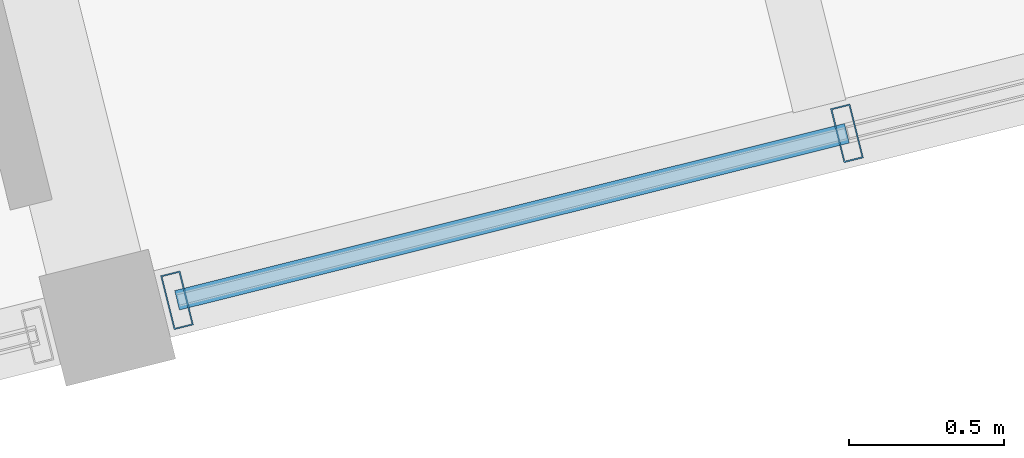
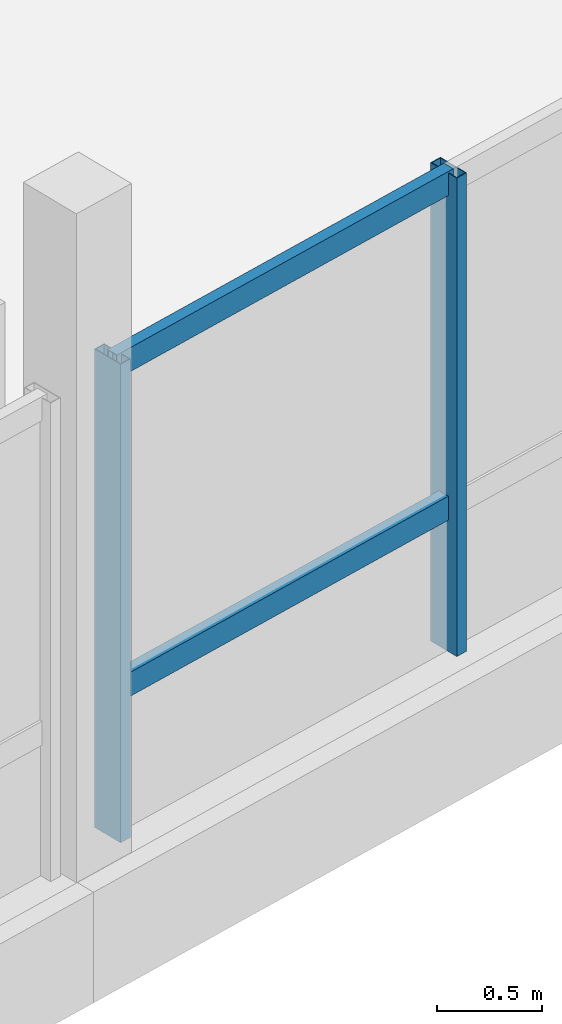
# One storey, part 5 of 28: 4 members, 1 element without a shape of its own.
"""IFC4 building model written with IfcOpenShell, lengths in metres."""

from ifc_helpers import new_model, si_unit, direction, frame, origin, origin_2d, place, context, subcontext, project, spatial, hollow_rectangle, extrude, material, layer, layer_set, material_profile, profile_set, type_object, element, aggregate, save


model = new_model("IFC4")

# Units and contexts
model_context = context("Model", 3, precision=1e-05, world=origin(), true_north=direction((0.0, 1.0)))
body_context = subcontext(model_context, "Body", "Model", "MODEL_VIEW")
ifc_project = project(units=[si_unit("LENGTHUNIT", "METRE"), si_unit("AREAUNIT", "SQUARE_METRE"), si_unit("VOLUMEUNIT", "CUBIC_METRE"), si_unit("PLANEANGLEUNIT", "RADIAN"), si_unit("MASSUNIT", "GRAM", prefix="KILO")], contexts=[model_context])

# Site, building, storey
site_placement = place(None, origin())
site = spatial("IfcSite", under=ifc_project, at=site_placement, CompositionType="ELEMENT")
building_placement = place(site_placement, origin())
building = spatial("IfcBuilding", under=site, at=building_placement, Name="Meriwether Solvik Hall", CompositionType="ELEMENT")
storey_placement = place(building_placement, frame((0.0, 0.0, 37.800048828125)))
storey = spatial("IfcBuildingStorey", under=building, at=storey_placement, Name="L09", CompositionType="ELEMENT", Elevation=37.800048828125)

# Curtain wall, members
ifc_material_1 = material(Name="Thermally Broken Anodised Aluminium 6063-T6 and Low-E Glass", Category="aluminium")
ifc_layer = layer(ifc_material_1, 0.179931640625)
ifc_layer_set = layer_set([ifc_layer], Name="Thermally Broken Anodised Aluminium 6063-T6 and Low-E Glass")
curtain_wall_type = type_object("IfcCurtainWallType", Name="CW-UNIT-C", PredefinedType="USERDEFINED", material=ifc_layer_set)
curtain_wall_placement = place(storey_placement, origin())
curtain_wall = element("IfcCurtainWall", 1, at=curtain_wall_placement, inside=storey, type_object=curtain_wall_type, Name="Curtain Wall E0_B3 (L09)", ObjectType="UNITISED CURTAIN WALL", PredefinedType="USERDEFINED")
ifc_material_2 = material(Name="Anodised Aluminium 6063-T6", Category="aluminium")
ifc_material_profile_1 = material_profile(ifc_material_2, hollow_rectangle(XDim=0.06494140625, YDim=0.179931640625, WallThickness=0.00439453125, at=origin_2d()), Name="CWM-65X180")
ifc_profile_set_1 = profile_set([ifc_material_profile_1], Name="Anodised Aluminium 6063-T6")
member_type_1 = type_object("IfcMemberType", Name="CW-MUL-65X180", PredefinedType="MULLION", material=ifc_profile_set_1)
member_1_placement = place(storey_placement, frame((92.338134765625, 47.11865234375, 0.0), z_axis=(0.0, 0.0, 1.0), x_axis=(-0.97029573429, -0.241921863457, 0.0)))
member_1 = element("IfcMember", 2, at=member_1_placement, type_object=member_type_1, Name="Curtain Wall Mullion 3", PredefinedType="MULLION", context=body_context, shape_type="SweptSolid", body=[
    extrude(hollow_rectangle(XDim=0.06494140625, YDim=0.179931640625, WallThickness=0.00439453125, at=origin_2d()), origin(), (0.0, 0.0, 1.0), 2.7900390625),
])
member_2_placement = place(storey_placement, frame((90.172119140625, 46.57861328125, 0.0), z_axis=(0.0, 0.0, 1.0), x_axis=(-0.97029573429, -0.241921863457, 0.0)))
member_2 = element("IfcMember", 3, at=member_2_placement, type_object=member_type_1, Name="Curtain Wall Mullion 4", PredefinedType="MULLION", context=body_context, shape_type="SweptSolid", body=[
    extrude(hollow_rectangle(XDim=0.06494140625, YDim=0.179931640625, WallThickness=0.00439453125, at=origin_2d()), origin(), (0.0, 0.0, 1.0), 2.7900390625),
])
ifc_material_3 = material(Name="Anodised Aluminium 6063-T6", Category="aluminium")
ifc_material_profile_2 = material_profile(ifc_material_3, hollow_rectangle(XDim=0.06494140625, YDim=0.139892578125, WallThickness=0.00439453125, at=origin_2d()), Name="CWT-65X140")
ifc_profile_set_2 = profile_set([ifc_material_profile_2], Name="Anodised Aluminium 6063-T6")
member_type_2 = type_object("IfcMemberType", Name="CW-TRN-65X140", PredefinedType="USERDEFINED", material=ifc_profile_set_2)
member_3_placement = place(storey_placement, frame((92.338134765625, 47.11865234375, 0.8369140625), z_axis=(-0.970296702868, -0.241917978668, 0.0), x_axis=(0.241917978668, -0.970296702868, 0.0)))
member_3 = element("IfcMember", 4, at=member_3_placement, type_object=member_type_2, Name="Curtain Wall Transom 3-sill", ObjectType="TRANSOM", PredefinedType="USERDEFINED", context=body_context, shape_type="SweptSolid", body=[
    extrude(hollow_rectangle(XDim=0.06494140625, YDim=0.139892578125, WallThickness=0.00439453125, at=origin_2d()), origin(), (0.0, 0.0, 1.0), 2.232421875),
])
member_4_placement = place(storey_placement, frame((92.338134765625, 47.11865234375, 2.72998046875), z_axis=(-0.970296702868, -0.241917978668, 0.0), x_axis=(0.241917978668, -0.970296702868, 0.0)))
member_4 = element("IfcMember", 5, at=member_4_placement, type_object=member_type_2, Name="Curtain Wall Transom 3-head", ObjectType="TRANSOM", PredefinedType="USERDEFINED", context=body_context, shape_type="SweptSolid", body=[
    extrude(hollow_rectangle(XDim=0.06494140625, YDim=0.139892578125, WallThickness=0.00439453125, at=origin_2d()), origin(), (0.0, 0.0, 1.0), 2.232421875),
])
aggregate(curtain_wall, [member_1, member_2, member_3, member_4])

save(model, "model.ifc")
